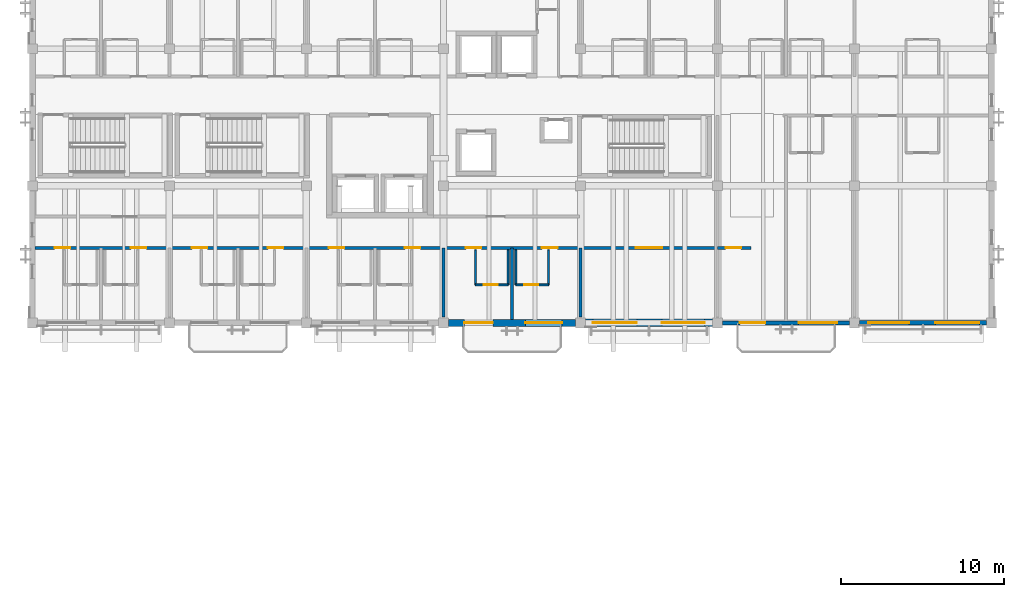
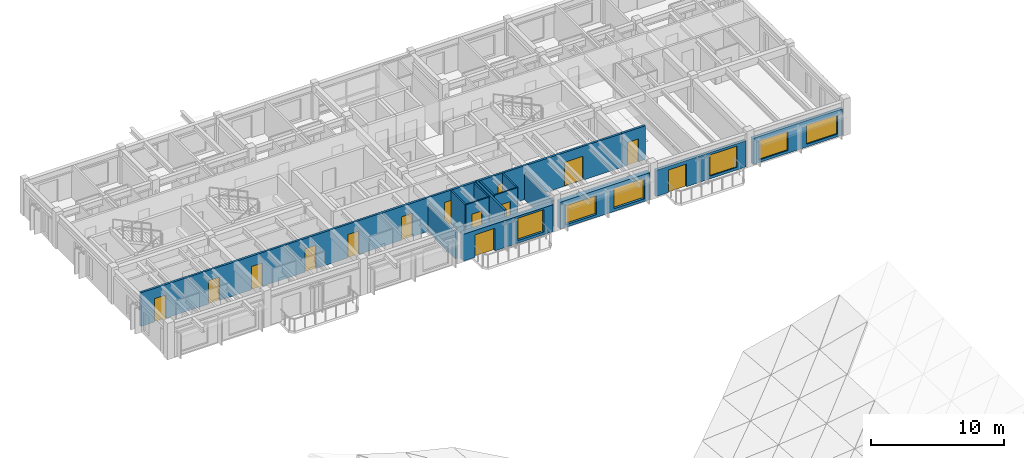
# One storey, part 13 of 31: 15 walls, 14 doors, 6 windows, 20 openings.
"""IFC4 building model written with IfcOpenShell, lengths in metres."""

from ifc_helpers import new_model, si_unit, direction, frame, frame_2d, origin, place, context, subcontext, project, spatial, rectangle, extrude, material, layer, layer_set, type_object, element, fill, save


model = new_model("IFC4")

# Units and contexts
model_context = context("Model", 3, precision=1e-05, world=origin(), true_north=direction((0.0, 1.0)))
body_context = subcontext(model_context, "Body", "Model", "MODEL_VIEW")
ifc_project = project(units=[si_unit("LENGTHUNIT", "METRE"), si_unit("AREAUNIT", "SQUARE_METRE"), si_unit("VOLUMEUNIT", "CUBIC_METRE"), si_unit("PLANEANGLEUNIT", "RADIAN"), si_unit("MASSUNIT", "GRAM", prefix="KILO")], contexts=[model_context])

# Site, building, storey
site_placement = place(None, origin())
site = spatial("IfcSite", under=ifc_project, at=site_placement, CompositionType="ELEMENT")
building_placement = place(site_placement, origin())
building = spatial("IfcBuilding", under=site, at=building_placement, Name="Cumbredor Promenade Congress Hotel", CompositionType="ELEMENT")
storey_placement = place(building_placement, frame((0.0, 0.0, 31.919921875)))
storey = spatial("IfcBuildingStorey", under=building, at=storey_placement, Name="L09", CompositionType="ELEMENT", Elevation=31.919921875)

# Wall, opening, door
ifc_material_1 = material(Name="Moisture-resistant gypsum board on steel studs", Category="steel")
ifc_layer_1 = layer(ifc_material_1, 0.114990234375, Name="Moisture-resistant gypsum board on steel studs", Category="steel")
ifc_layer_set_1 = layer_set([ifc_layer_1], Name="Moisture-resistant gypsum board on steel studs")
wall_type_1 = type_object("IfcWallType", Name="WL-BATH-115", PredefinedType="PARTITIONING", material=ifc_layer_set_1)
wall_1_placement = place(storey_placement, frame((35.56005859375, 94.72998046875, 0.0), z_axis=(0.0, 0.0, 1.0), x_axis=(1.0, 0.0, 0.0)))
wall_1 = element("IfcWall", 1, at=wall_1_placement, inside=storey, type_object=wall_type_1, Name="L09 Interior Partition W-L09-BH-0977", PredefinedType="PARTITIONING", context=body_context, shape_type="SweptSolid", body=[
    extrude(rectangle(XDim=2.0, YDim=0.114990234375, at=frame_2d((1.0, 0.0))), origin(), (0.0, 0.0, 1.0), 3.10009765625),
])
opening_1_placement = place(wall_1_placement, frame((0.5, 0.0, 0.0)))
opening_1 = element("IfcOpeningElement", 2, at=opening_1_placement, cuts=wall_1, Name="Opening ID-01", PredefinedType="OPENING", context=body_context, shape_type="SweptSolid", body=[
    extrude(rectangle(XDim=0.860107421875, YDim=2.050048828125, at=frame_2d((0.43017578125, 1.02490234375))), frame((0.0, 0.0673828125, 0.0), z_axis=(0.0, -1.0, 0.0), x_axis=(1.0, 0.0, 0.0)), (0.0, 0.0, 1.0), 0.135009765625),
])
ifc_material_2 = material(Name="Kiln-dried tropical hardwood", Category="wood")
door_type_1 = type_object("IfcDoorType", Name="DR-BATH-860", OperationType="NOTDEFINED", PredefinedType="DOOR", material=ifc_material_2)
door_1_placement = place(opening_1_placement, origin())
door_1 = element("IfcDoor", 3, at=door_1_placement, inside=storey, type_object=door_type_1, Name="L09 Interior Door W-L09-BH-0977-01", OperationType="SINGLE_SWING_RIGHT", OverallHeight=2.050048828125, OverallWidth=0.860107421875, PredefinedType="DOOR", context=body_context, shape_type="SweptSolid", body=[
    extrude(rectangle(XDim=0.860107421875, YDim=2.050048828125, at=frame_2d((0.43017578125, 1.02490234375))), frame((0.0, 0.02490234375, 0.0), z_axis=(0.0, -1.0, 0.0), x_axis=(1.0, 0.0, 0.0)), (0.0, 0.0, 1.0), 0.050048828125),
])
fill(opening_1, door_1)

# Walls
for number, where, z_axis, x_axis, name in (
    (4, (35.56005859375, 94.72998046875, 0.0), (0.0, 0.0, 1.0), (0.0, 1.0, 0.0), "L09 Interior Partition W-L09-BV1-0977"),
    (5, (37.56005859375, 94.72998046875, 0.0), (0.0, 0.0, 1.0), (0.0, 1.0, 0.0), "L09 Interior Partition W-L09-BV2-0977"),
):
    element("IfcWall", number, at=place(storey_placement, frame(where, z_axis=z_axis, x_axis=x_axis)), inside=storey, type_object=wall_type_1, Name=name, PredefinedType="PARTITIONING", context=body_context, shape_type="SweptSolid", body=[
        extrude(rectangle(XDim=2.14990234375, YDim=0.114990234375, at=frame_2d((1.074951171875, 0.0))), origin(), (0.0, 0.0, 1.0), 3.10009765625),
    ])

# Wall, opening, door
wall_2_placement = place(storey_placement, frame((38.0400390625, 94.72998046875, 0.0), z_axis=(0.0, 0.0, 1.0), x_axis=(1.0, 0.0, 0.0)))
wall_2 = element("IfcWall", 6, at=wall_2_placement, inside=storey, type_object=wall_type_1, Name="L09 Interior Partition W-L09-BH-0978", PredefinedType="PARTITIONING", context=body_context, shape_type="SweptSolid", body=[
    extrude(rectangle(XDim=2.0, YDim=0.114990234375, at=frame_2d((1.0, 0.0))), origin(), (0.0, 0.0, 1.0), 3.10009765625),
])
opening_2_placement = place(wall_2_placement, frame((0.5, 0.0, 0.0)))
opening_2 = element("IfcOpeningElement", 7, at=opening_2_placement, cuts=wall_2, Name="Opening ID-01", PredefinedType="OPENING", context=body_context, shape_type="SweptSolid", body=[
    extrude(rectangle(XDim=0.860107421875, YDim=2.050048828125, at=frame_2d((0.43017578125, 1.02490234375))), frame((0.0, 0.0673828125, 0.0), z_axis=(0.0, -1.0, 0.0), x_axis=(1.0, 0.0, 0.0)), (0.0, 0.0, 1.0), 0.135009765625),
])
door_2_placement = place(opening_2_placement, origin())
door_2 = element("IfcDoor", 8, at=door_2_placement, inside=storey, type_object=door_type_1, Name="L09 Interior Door W-L09-BH-0978-01", OperationType="SINGLE_SWING_LEFT", OverallHeight=2.050048828125, OverallWidth=0.860107421875, PredefinedType="DOOR", context=body_context, shape_type="SweptSolid", body=[
    extrude(rectangle(XDim=0.860107421875, YDim=2.050048828125, at=frame_2d((0.43017578125, 1.02490234375))), frame((0.0, 0.02490234375, 0.0), z_axis=(0.0, -1.0, 0.0), x_axis=(1.0, 0.0, 0.0)), (0.0, 0.0, 1.0), 0.050048828125),
])
fill(opening_2, door_2)

# Walls
for number, where, z_axis, x_axis, name in (
    (9, (38.0400390625, 94.72998046875, 0.0), (0.0, 0.0, 1.0), (0.0, 1.0, 0.0), "L09 Interior Partition W-L09-BV1-0978"),
    (10, (40.0400390625, 94.72998046875, 0.0), (0.0, 0.0, 1.0), (0.0, 1.0, 0.0), "L09 Interior Partition W-L09-BV2-0978"),
):
    element("IfcWall", number, at=place(storey_placement, frame(where, z_axis=z_axis, x_axis=x_axis)), inside=storey, type_object=wall_type_1, Name=name, PredefinedType="PARTITIONING", context=body_context, shape_type="SweptSolid", body=[
        extrude(rectangle(XDim=2.14990234375, YDim=0.114990234375, at=frame_2d((1.074951171875, 0.0))), origin(), (0.0, 0.0, 1.0), 3.10009765625),
    ])

# Wall, openings, doors
ifc_material_3 = material(Name="Fire-rated hotel corridor wall")
ifc_layer_2 = layer(ifc_material_3, 0.179931640625, Name="Fire-rated hotel corridor wall")
ifc_layer_set_2 = layer_set([ifc_layer_2], Name="Fire-rated hotel corridor wall")
wall_type_2 = type_object("IfcWallType", Name="WL-CORR-180", PredefinedType="PARTITIONING", material=ifc_layer_set_2)
wall_3_placement = place(storey_placement, frame((8.5625, 97.0, 0.0), z_axis=(0.0, 0.0, 1.0), x_axis=(1.0, 0.0, 0.0)))
wall_3 = element("IfcWall", 11, at=wall_3_placement, inside=storey, type_object=wall_type_2, Name="L09 Interior Partition W-L09-SC-CORRW", PredefinedType="PARTITIONING", context=body_context, shape_type="SweptSolid", body=[
    extrude(rectangle(XDim=41.83740234375, YDim=0.179931640625, at=frame_2d((20.918701171875, 0.0))), origin(), (0.0, 0.0, 1.0), 3.10009765625),
])
opening_3_placement = place(wall_3_placement, frame((1.20703125, 0.0, 0.0)))
opening_3 = element("IfcOpeningElement", 12, at=opening_3_placement, cuts=wall_3, Name="Opening FD-01", PredefinedType="OPENING", context=body_context, shape_type="SweptSolid", body=[
    extrude(rectangle(XDim=0.9599609375, YDim=2.14990234375, at=frame_2d((0.47998046875, 1.074951171875))), frame((0.0, 0.10009765625, 0.0), z_axis=(0.0, -1.0, 0.0), x_axis=(1.0, 0.0, 0.0)), (0.0, 0.0, 1.0), 0.199951171875),
])
opening_4_placement = place(wall_3_placement, frame((5.866943359375, 0.0, 0.0)))
opening_4 = element("IfcOpeningElement", 13, at=opening_4_placement, cuts=wall_3, Name="Opening FD-01", PredefinedType="OPENING", context=body_context, shape_type="SweptSolid", body=[
    extrude(rectangle(XDim=0.9599609375, YDim=2.14990234375, at=frame_2d((0.47998046875, 1.074951171875))), frame((0.0, 0.10009765625, 0.0), z_axis=(0.0, -1.0, 0.0), x_axis=(1.0, 0.0, 0.0)), (0.0, 0.0, 1.0), 0.199951171875),
])
opening_5_placement = place(wall_3_placement, frame((9.60791015625, 0.0, 0.0)))
opening_5 = element("IfcOpeningElement", 14, at=opening_5_placement, cuts=wall_3, Name="Opening FD-01", PredefinedType="OPENING", context=body_context, shape_type="SweptSolid", body=[
    extrude(rectangle(XDim=0.9599609375, YDim=2.14990234375, at=frame_2d((0.47998046875, 1.074951171875))), frame((0.0, 0.10009765625, 0.0), z_axis=(0.0, -1.0, 0.0), x_axis=(1.0, 0.0, 0.0)), (0.0, 0.0, 1.0), 0.199951171875),
])
opening_6_placement = place(wall_3_placement, frame((14.26708984375, 0.0, 0.0)))
opening_6 = element("IfcOpeningElement", 15, at=opening_6_placement, cuts=wall_3, Name="Opening FD-01", PredefinedType="OPENING", context=body_context, shape_type="SweptSolid", body=[
    extrude(rectangle(XDim=0.9599609375, YDim=2.14990234375, at=frame_2d((0.47998046875, 1.074951171875))), frame((0.0, 0.10009765625, 0.0), z_axis=(0.0, -1.0, 0.0), x_axis=(1.0, 0.0, 0.0)), (0.0, 0.0, 1.0), 0.199951171875),
])
opening_7_placement = place(wall_3_placement, frame((18.008056640625, 0.0, 0.0)))
opening_7 = element("IfcOpeningElement", 16, at=opening_7_placement, cuts=wall_3, Name="Opening FD-01", PredefinedType="OPENING", context=body_context, shape_type="SweptSolid", body=[
    extrude(rectangle(XDim=0.9599609375, YDim=2.14990234375, at=frame_2d((0.47998046875, 1.074951171875))), frame((0.0, 0.10009765625, 0.0), z_axis=(0.0, -1.0, 0.0), x_axis=(1.0, 0.0, 0.0)), (0.0, 0.0, 1.0), 0.199951171875),
])
opening_8_placement = place(wall_3_placement, frame((22.66796875, 0.0, 0.0)))
opening_8 = element("IfcOpeningElement", 17, at=opening_8_placement, cuts=wall_3, Name="Opening FD-01", PredefinedType="OPENING", context=body_context, shape_type="SweptSolid", body=[
    extrude(rectangle(XDim=0.9599609375, YDim=2.14990234375, at=frame_2d((0.47998046875, 1.074951171875))), frame((0.0, 0.10009765625, 0.0), z_axis=(0.0, -1.0, 0.0), x_axis=(1.0, 0.0, 0.0)), (0.0, 0.0, 1.0), 0.199951171875),
])
opening_9_placement = place(wall_3_placement, frame((26.406982421875, 0.0, 0.0)))
opening_9 = element("IfcOpeningElement", 18, at=opening_9_placement, cuts=wall_3, Name="Opening FD-01", PredefinedType="OPENING", context=body_context, shape_type="SweptSolid", body=[
    extrude(rectangle(XDim=0.9599609375, YDim=2.14990234375, at=frame_2d((0.47998046875, 1.074951171875))), frame((0.0, 0.10009765625, 0.0), z_axis=(0.0, -1.0, 0.0), x_axis=(1.0, 0.0, 0.0)), (0.0, 0.0, 1.0), 0.199951171875),
])
opening_10_placement = place(wall_3_placement, frame((31.068115234375, 0.0, 0.0)))
opening_10 = element("IfcOpeningElement", 19, at=opening_10_placement, cuts=wall_3, Name="Opening FD-01", PredefinedType="OPENING", context=body_context, shape_type="SweptSolid", body=[
    extrude(rectangle(XDim=0.9599609375, YDim=2.14990234375, at=frame_2d((0.47998046875, 1.074951171875))), frame((0.0, 0.10009765625, 0.0), z_axis=(0.0, -1.0, 0.0), x_axis=(1.0, 0.0, 0.0)), (0.0, 0.0, 1.0), 0.199951171875),
])
opening_11_placement = place(wall_3_placement, frame((36.8369140625, 0.0, 0.0)))
opening_11 = element("IfcOpeningElement", 20, at=opening_11_placement, cuts=wall_3, Name="Opening FD-08", PredefinedType="OPENING", context=body_context, shape_type="SweptSolid", body=[
    extrude(rectangle(XDim=1.6201171875, YDim=2.199951171875, at=frame_2d((0.81005859375, 1.10009765625))), frame((0.0, 0.10009765625, 0.0), z_axis=(0.0, -1.0, 0.0), x_axis=(1.0, 0.0, 0.0)), (0.0, 0.0, 1.0), 0.199951171875),
])
ifc_material_4 = material(Name="Solid-core fire-rated tropical hardwood", Category="wood")
door_type_2 = type_object("IfcDoorType", Name="DR-DBL-FD60-1600", OperationType="DOUBLE_DOOR_SINGLE_SWING", PredefinedType="DOOR", material=ifc_material_4)
door_3_placement = place(opening_11_placement, origin())
door_3 = element("IfcDoor", 21, at=door_3_placement, inside=storey, type_object=door_type_2, Name="L09 Interior Door W-L09-SC-CORRW-09", OperationType="DOUBLE_DOOR_SINGLE_SWING", OverallHeight=2.199951171875, OverallWidth=1.6201171875, PredefinedType="DOOR", context=body_context, shape_type="SweptSolid", body=[
    extrude(rectangle(XDim=1.6201171875, YDim=2.199951171875, at=frame_2d((0.81005859375, 1.10009765625))), frame((0.0, 0.02490234375, 0.0), z_axis=(0.0, -1.0, 0.0), x_axis=(1.0, 0.0, 0.0)), (0.0, 0.0, 1.0), 0.050048828125),
])
fill(opening_11, door_3)
door_type_3 = type_object("IfcDoorType", Name="DR-GUEST-FD30-950", OperationType="NOTDEFINED", PredefinedType="DOOR", material=ifc_material_4)
door_4_placement = place(opening_3_placement, origin())
door_4 = element("IfcDoor", 22, at=door_4_placement, inside=storey, type_object=door_type_3, Name="L09 Interior Door W-L09-SC-CORRW-01", OperationType="SINGLE_SWING_LEFT", OverallHeight=2.14990234375, OverallWidth=0.9599609375, PredefinedType="DOOR", context=body_context, shape_type="SweptSolid", body=[
    extrude(rectangle(XDim=0.9599609375, YDim=2.14990234375, at=frame_2d((0.47998046875, 1.074951171875))), frame((0.0, 0.02490234375, 0.0), z_axis=(0.0, -1.0, 0.0), x_axis=(1.0, 0.0, 0.0)), (0.0, 0.0, 1.0), 0.050048828125),
])
fill(opening_3, door_4)
door_5_placement = place(opening_4_placement, origin())
door_5 = element("IfcDoor", 23, at=door_5_placement, inside=storey, type_object=door_type_3, Name="L09 Interior Door W-L09-SC-CORRW-02", OperationType="SINGLE_SWING_RIGHT", OverallHeight=2.14990234375, OverallWidth=0.9599609375, PredefinedType="DOOR", context=body_context, shape_type="SweptSolid", body=[
    extrude(rectangle(XDim=0.9599609375, YDim=2.14990234375, at=frame_2d((0.47998046875, 1.074951171875))), frame((0.0, 0.02490234375, 0.0), z_axis=(0.0, -1.0, 0.0), x_axis=(1.0, 0.0, 0.0)), (0.0, 0.0, 1.0), 0.050048828125),
])
fill(opening_4, door_5)
door_6_placement = place(opening_5_placement, origin())
door_6 = element("IfcDoor", 24, at=door_6_placement, inside=storey, type_object=door_type_3, Name="L09 Interior Door W-L09-SC-CORRW-03", OperationType="SINGLE_SWING_LEFT", OverallHeight=2.14990234375, OverallWidth=0.9599609375, PredefinedType="DOOR", context=body_context, shape_type="SweptSolid", body=[
    extrude(rectangle(XDim=0.9599609375, YDim=2.14990234375, at=frame_2d((0.47998046875, 1.074951171875))), frame((0.0, 0.02490234375, 0.0), z_axis=(0.0, -1.0, 0.0), x_axis=(1.0, 0.0, 0.0)), (0.0, 0.0, 1.0), 0.050048828125),
])
fill(opening_5, door_6)
door_7_placement = place(opening_6_placement, origin())
door_7 = element("IfcDoor", 25, at=door_7_placement, inside=storey, type_object=door_type_3, Name="L09 Interior Door W-L09-SC-CORRW-04", OperationType="SINGLE_SWING_RIGHT", OverallHeight=2.14990234375, OverallWidth=0.9599609375, PredefinedType="DOOR", context=body_context, shape_type="SweptSolid", body=[
    extrude(rectangle(XDim=0.9599609375, YDim=2.14990234375, at=frame_2d((0.47998046875, 1.074951171875))), frame((0.0, 0.02490234375, 0.0), z_axis=(0.0, -1.0, 0.0), x_axis=(1.0, 0.0, 0.0)), (0.0, 0.0, 1.0), 0.050048828125),
])
fill(opening_6, door_7)
door_8_placement = place(opening_7_placement, origin())
door_8 = element("IfcDoor", 26, at=door_8_placement, inside=storey, type_object=door_type_3, Name="L09 Interior Door W-L09-SC-CORRW-05", OperationType="SINGLE_SWING_LEFT", OverallHeight=2.14990234375, OverallWidth=0.9599609375, PredefinedType="DOOR", context=body_context, shape_type="SweptSolid", body=[
    extrude(rectangle(XDim=0.9599609375, YDim=2.14990234375, at=frame_2d((0.47998046875, 1.074951171875))), frame((0.0, 0.02490234375, 0.0), z_axis=(0.0, -1.0, 0.0), x_axis=(1.0, 0.0, 0.0)), (0.0, 0.0, 1.0), 0.050048828125),
])
fill(opening_7, door_8)
door_9_placement = place(opening_8_placement, origin())
door_9 = element("IfcDoor", 27, at=door_9_placement, inside=storey, type_object=door_type_3, Name="L09 Interior Door W-L09-SC-CORRW-06", OperationType="SINGLE_SWING_RIGHT", OverallHeight=2.14990234375, OverallWidth=0.9599609375, PredefinedType="DOOR", context=body_context, shape_type="SweptSolid", body=[
    extrude(rectangle(XDim=0.9599609375, YDim=2.14990234375, at=frame_2d((0.47998046875, 1.074951171875))), frame((0.0, 0.02490234375, 0.0), z_axis=(0.0, -1.0, 0.0), x_axis=(1.0, 0.0, 0.0)), (0.0, 0.0, 1.0), 0.050048828125),
])
fill(opening_8, door_9)
door_10_placement = place(opening_9_placement, origin())
door_10 = element("IfcDoor", 28, at=door_10_placement, inside=storey, type_object=door_type_3, Name="L09 Interior Door W-L09-SC-CORRW-07", OperationType="SINGLE_SWING_LEFT", OverallHeight=2.14990234375, OverallWidth=0.9599609375, PredefinedType="DOOR", context=body_context, shape_type="SweptSolid", body=[
    extrude(rectangle(XDim=0.9599609375, YDim=2.14990234375, at=frame_2d((0.47998046875, 1.074951171875))), frame((0.0, 0.02490234375, 0.0), z_axis=(0.0, -1.0, 0.0), x_axis=(1.0, 0.0, 0.0)), (0.0, 0.0, 1.0), 0.050048828125),
])
fill(opening_9, door_10)
door_11_placement = place(opening_10_placement, origin())
door_11 = element("IfcDoor", 29, at=door_11_placement, inside=storey, type_object=door_type_3, Name="L09 Interior Door W-L09-SC-CORRW-08", OperationType="SINGLE_SWING_RIGHT", OverallHeight=2.14990234375, OverallWidth=0.9599609375, PredefinedType="DOOR", context=body_context, shape_type="SweptSolid", body=[
    extrude(rectangle(XDim=0.9599609375, YDim=2.14990234375, at=frame_2d((0.47998046875, 1.074951171875))), frame((0.0, 0.02490234375, 0.0), z_axis=(0.0, -1.0, 0.0), x_axis=(1.0, 0.0, 0.0)), (0.0, 0.0, 1.0), 0.050048828125),
])
fill(opening_10, door_11)

# Wall, opening, door
wall_4_placement = place(storey_placement, frame((50.39990234375, 97.0, 0.0), z_axis=(0.0, 0.0, 1.0), x_axis=(1.0, 0.0, 0.0)))
wall_4 = element("IfcWall", 30, at=wall_4_placement, inside=storey, type_object=wall_type_2, Name="L09 Interior Partition W-L09-TEA2-N", PredefinedType="PARTITIONING", context=body_context, shape_type="SweptSolid", body=[
    extrude(rectangle(XDim=2.050048828125, YDim=0.179931640625, at=frame_2d((1.02490234375, 0.0))), origin(), (0.0, 0.0, 1.0), 3.10009765625),
])
opening_12_placement = place(wall_4_placement, frame((0.5, 0.0, 0.0)))
opening_12 = element("IfcOpeningElement", 31, at=opening_12_placement, cuts=wall_4, Name="Opening FD-03", PredefinedType="OPENING", context=body_context, shape_type="SweptSolid", body=[
    extrude(rectangle(XDim=0.93994140625, YDim=2.10009765625, at=frame_2d((0.469970703125, 1.050048828125))), frame((0.0, 0.10009765625, 0.0), z_axis=(0.0, -1.0, 0.0), x_axis=(1.0, 0.0, 0.0)), (0.0, 0.0, 1.0), 0.199951171875),
])
ifc_material_5 = material(Name="Painted galvanized steel fire door", Category="steel")
door_type_4 = type_object("IfcDoorType", Name="DR-SGL-FD60-950", OperationType="NOTDEFINED", PredefinedType="DOOR", material=ifc_material_5)
door_12_placement = place(opening_12_placement, origin())
door_12 = element("IfcDoor", 32, at=door_12_placement, inside=storey, type_object=door_type_4, Name="L09 Interior Door W-L09-TEA2-N-01", OperationType="SINGLE_SWING_LEFT", OverallHeight=2.10009765625, OverallWidth=0.93994140625, PredefinedType="DOOR", context=body_context, shape_type="SweptSolid", body=[
    extrude(rectangle(XDim=0.93994140625, YDim=2.10009765625, at=frame_2d((0.469970703125, 1.050048828125))), frame((0.0, 0.02490234375, 0.0), z_axis=(0.0, -1.0, 0.0), x_axis=(1.0, 0.0, 0.0)), (0.0, 0.0, 1.0), 0.050048828125),
])
fill(opening_12, door_12)

# Wall, openings, door, window
ifc_material_6 = material(Name="Concrete C40/50", Category="concrete")
ifc_layer_3 = layer(ifc_material_6, 0.260009765625, Name="Concrete C40/50", Category="concrete")
ifc_layer_set_3 = layer_set([ifc_layer_3], Name="Concrete C40/50")
wall_type_3 = type_object("IfcWallType", Name="WL-EXT-260", PredefinedType="SOLIDWALL", material=ifc_layer_set_3)
wall_5_placement = place(storey_placement, frame((50.700927734375, 92.39990234375, 0.0), z_axis=(0.0, 0.0, 1.0), x_axis=(1.0, 0.0, 0.0)))
wall_5 = element("IfcWall", 33, at=wall_5_placement, inside=storey, type_object=wall_type_3, Name="L09 Stepped Congress Hotel Wing South Envelope Wall 6", PredefinedType="SOLIDWALL", context=body_context, shape_type="SweptSolid", body=[
    extrude(rectangle(XDim=7.798095703125, YDim=0.260009765625, at=frame_2d((3.89892578125, 0.0))), origin(), (0.0, 0.0, 1.0), 2.4140625),
])
opening_13_placement = place(wall_5_placement, frame((1.073974609375, 0.0, 0.0)))
opening_13 = element("IfcOpeningElement", 34, at=opening_13_placement, cuts=wall_5, Name="Opening TD-01", PredefinedType="OPENING", context=body_context, shape_type="SweptSolid", body=[
    extrude(rectangle(XDim=1.550048828125, YDim=2.080078125, at=frame_2d((0.77490234375, 1.0400390625))), frame((0.0, 0.14013671875, 0.0), z_axis=(0.0, -1.0, 0.0), x_axis=(1.0, 0.0, 0.0)), (0.0, 0.0, 1.0), 0.280029296875),
])
opening_14_placement = place(wall_5_placement, frame((4.674072265625, 0.0, 0.25)))
opening_14 = element("IfcOpeningElement", 35, at=opening_14_placement, cuts=wall_5, Name="Opening WN-08", PredefinedType="OPENING", context=body_context, shape_type="SweptSolid", body=[
    extrude(rectangle(XDim=2.35009765625, YDim=1.949951171875, at=frame_2d((1.175048828125, 0.97509765625))), frame((0.0, 0.14013671875, 0.0), z_axis=(0.0, -1.0, 0.0), x_axis=(1.0, 0.0, 0.0)), (0.0, 0.0, 1.0), 0.280029296875),
])
ifc_material_7 = material(Name="Thermally broken anodized aluminium and laminated safety glass", Category="aluminium")
door_type_5 = type_object("IfcDoorType", Name="EXT-DR-TER-1550x2080", OperationType="DOUBLE_DOOR_SINGLE_SWING", PredefinedType="DOOR", material=ifc_material_7)
door_13_placement = place(opening_13_placement, frame((1.550048828125, 0.0, 0.0), z_axis=(0.0, 0.0, 1.0), x_axis=(-1.0, 0.0, 0.0)))
door_13 = element("IfcDoor", 36, at=door_13_placement, inside=storey, type_object=door_type_5, Name="L09 Guestroom Veranda Balcony Door 090", OperationType="DOUBLE_DOOR_SINGLE_SWING", OverallHeight=2.080078125, OverallWidth=1.550048828125, PredefinedType="DOOR", context=body_context, shape_type="SweptSolid", body=[
    extrude(rectangle(XDim=1.550048828125, YDim=2.080078125, at=frame_2d((0.77490234375, 1.0400390625))), frame((0.0, 0.02490234375, 0.0), z_axis=(0.0, -1.0, 0.0), x_axis=(1.0, 0.0, 0.0)), (0.0, 0.0, 1.0), 0.050048828125),
])
fill(opening_13, door_13)
ifc_material_8 = material(Name="Thermally broken anodized aluminium and low-E glass", Category="aluminium")
window_type_1 = type_object("IfcWindowType", Name="Hospitality Floor-to-Ceiling Window WN-08 2350x1950", PartitioningType="DOUBLE_PANEL_VERTICAL", PredefinedType="WINDOW", material=ifc_material_8)
window_1_placement = place(opening_14_placement, origin())
window_1 = element("IfcWindow", 37, at=window_1_placement, inside=storey, type_object=window_type_1, Name="L09 Veranda Companion Floor-to-Ceiling Window 0687", OverallHeight=1.949951171875, OverallWidth=2.35009765625, PartitioningType="DOUBLE_PANEL_VERTICAL", PredefinedType="WINDOW", context=body_context, shape_type="SweptSolid", body=[
    extrude(rectangle(XDim=2.35009765625, YDim=1.949951171875, at=frame_2d((1.175048828125, 0.97509765625))), frame((0.0, 0.030029296875, 0.0), z_axis=(0.0, -1.0, 0.0), x_axis=(1.0, 0.0, 0.0)), (0.0, 0.0, 1.0), 0.06005859375),
])
fill(opening_14, window_1)

# Wall, openings, windows
ifc_layer_4 = layer(ifc_material_6, 0.280029296875, Name="Concrete C40/50", Category="concrete")
ifc_layer_set_4 = layer_set([ifc_layer_4], Name="Concrete C40/50")
wall_type_4 = type_object("IfcWallType", Name="WL-EXT-280", PredefinedType="SOLIDWALL", material=ifc_layer_set_4)
wall_6_placement = place(storey_placement, frame((59.10107421875, 92.39990234375, 0.0), z_axis=(0.0, 0.0, 1.0), x_axis=(1.0, 0.0, 0.0)))
wall_6 = element("IfcWall", 38, at=wall_6_placement, inside=storey, type_object=wall_type_4, Name="L09 Stepped Congress Hotel Wing South Envelope Wall 7", PredefinedType="SOLIDWALL", context=body_context, shape_type="SweptSolid", body=[
    extrude(rectangle(XDim=7.7978515625, YDim=0.280029296875, at=frame_2d((3.89892578125, 0.0))), origin(), (0.0, 0.0, 1.0), 2.4140625),
])
opening_15_placement = place(wall_6_placement, frame((0.549072265625, 0.0, 0.25)))
opening_15 = element("IfcOpeningElement", 39, at=opening_15_placement, cuts=wall_6, Name="Opening WN-27", PredefinedType="OPENING", context=body_context, shape_type="SweptSolid", body=[
    extrude(rectangle(XDim=2.5, YDim=1.75, at=frame_2d((1.25, 0.875))), frame((0.0, 0.14990234375, 0.0), z_axis=(0.0, -1.0, 0.0), x_axis=(1.0, 0.0, 0.0)), (0.0, 0.0, 1.0), 0.300048828125),
])
opening_16_placement = place(wall_6_placement, frame((4.64892578125, 0.0, 0.25)))
opening_16 = element("IfcOpeningElement", 40, at=opening_16_placement, cuts=wall_6, Name="Opening WN-29", PredefinedType="OPENING", context=body_context, shape_type="SweptSolid", body=[
    extrude(rectangle(XDim=2.699951171875, YDim=1.75, at=frame_2d((1.35009765625, 0.875))), frame((0.0, 0.14990234375, 0.0), z_axis=(0.0, -1.0, 0.0), x_axis=(1.0, 0.0, 0.0)), (0.0, 0.0, 1.0), 0.300048828125),
])
window_type_2 = type_object("IfcWindowType", Name="Hospitality Floor-to-Ceiling Window WN-27 2500x1750", PartitioningType="DOUBLE_PANEL_VERTICAL", PredefinedType="WINDOW", material=ifc_material_8)
window_2_placement = place(opening_15_placement, origin())
window_2 = element("IfcWindow", 41, at=window_2_placement, inside=storey, type_object=window_type_2, Name="L09 Wide Hospitality Window 0688", OverallHeight=1.75, OverallWidth=2.5, PartitioningType="DOUBLE_PANEL_VERTICAL", PredefinedType="WINDOW", context=body_context, shape_type="SweptSolid", body=[
    extrude(rectangle(XDim=2.5, YDim=1.75, at=frame_2d((1.25, 0.875))), frame((0.0, 0.030029296875, 0.0), z_axis=(0.0, -1.0, 0.0), x_axis=(1.0, 0.0, 0.0)), (0.0, 0.0, 1.0), 0.06005859375),
])
fill(opening_15, window_2)
window_type_3 = type_object("IfcWindowType", Name="Hospitality Floor-to-Ceiling Window WN-29 2700x1750", PartitioningType="DOUBLE_PANEL_VERTICAL", PredefinedType="WINDOW", material=ifc_material_8)
window_3_placement = place(opening_16_placement, origin())
window_3 = element("IfcWindow", 42, at=window_3_placement, inside=storey, type_object=window_type_3, Name="L09 Wide Hospitality Window 0689", OverallHeight=1.75, OverallWidth=2.699951171875, PartitioningType="DOUBLE_PANEL_VERTICAL", PredefinedType="WINDOW", context=body_context, shape_type="SweptSolid", body=[
    extrude(rectangle(XDim=2.699951171875, YDim=1.75, at=frame_2d((1.35009765625, 0.875))), frame((0.0, 0.030029296875, 0.0), z_axis=(0.0, -1.0, 0.0), x_axis=(1.0, 0.0, 0.0)), (0.0, 0.0, 1.0), 0.06005859375),
])
fill(opening_16, window_3)

# Wall, openings, door, window
ifc_layer_5 = layer(ifc_material_6, 0.425048828125, Name="Concrete C40/50", Category="concrete")
ifc_layer_set_5 = layer_set([ifc_layer_5], Name="Concrete C40/50")
wall_type_5 = type_object("IfcWallType", Name="WL-EXT-425", PredefinedType="SOLIDWALL", material=ifc_layer_set_5)
wall_7_placement = place(storey_placement, frame((33.90087890625, 92.39990234375, 0.0), z_axis=(0.0, 0.0, 1.0), x_axis=(1.0, 0.0, 0.0)))
wall_7 = element("IfcWall", 43, at=wall_7_placement, inside=storey, type_object=wall_type_5, Name="L09 Stepped Congress Hotel Wing South Envelope Wall 4", PredefinedType="SOLIDWALL", context=body_context, shape_type="SweptSolid", body=[
    extrude(rectangle(XDim=7.798095703125, YDim=0.425048828125, at=frame_2d((3.89892578125, 0.0))), origin(), (0.0, 0.0, 1.0), 2.47412109375),
])
opening_17_placement = place(wall_7_placement, frame((0.97412109375, 0.0, 0.0)))
opening_17 = element("IfcOpeningElement", 44, at=opening_17_placement, cuts=wall_7, Name="Opening TD-03", PredefinedType="OPENING", context=body_context, shape_type="SweptSolid", body=[
    extrude(rectangle(XDim=1.75, YDim=2.080078125, at=frame_2d((0.875, 1.0400390625))), frame((0.0, 0.22265625, 0.0), z_axis=(0.0, -1.0, 0.0), x_axis=(1.0, 0.0, 0.0)), (0.0, 0.0, 1.0), 0.445068359375),
])
opening_18_placement = place(wall_7_placement, frame((4.72412109375, 0.0, 0.25)))
opening_18 = element("IfcOpeningElement", 45, at=opening_18_placement, cuts=wall_7, Name="Opening WN-13", PredefinedType="OPENING", context=body_context, shape_type="SweptSolid", body=[
    extrude(rectangle(XDim=2.25, YDim=2.050048828125, at=frame_2d((1.125, 1.02490234375))), frame((0.0, 0.22265625, 0.0), z_axis=(0.0, -1.0, 0.0), x_axis=(1.0, 0.0, 0.0)), (0.0, 0.0, 1.0), 0.445068359375),
])
door_type_6 = type_object("IfcDoorType", Name="EXT-DR-TER-1750x2080", OperationType="DOUBLE_DOOR_SINGLE_SWING", PredefinedType="DOOR", material=ifc_material_7)
door_14_placement = place(opening_17_placement, frame((1.75, 0.0, 0.0), z_axis=(0.0, 0.0, 1.0), x_axis=(-1.0, 0.0, 0.0)))
door_14 = element("IfcDoor", 46, at=door_14_placement, inside=storey, type_object=door_type_6, Name="L09 Guestroom Veranda Balcony Door 089", OperationType="DOUBLE_DOOR_SINGLE_SWING", OverallHeight=2.080078125, OverallWidth=1.75, PredefinedType="DOOR", context=body_context, shape_type="SweptSolid", body=[
    extrude(rectangle(XDim=1.75, YDim=2.080078125, at=frame_2d((0.875, 1.0400390625))), frame((0.0, 0.02490234375, 0.0), z_axis=(0.0, -1.0, 0.0), x_axis=(1.0, 0.0, 0.0)), (0.0, 0.0, 1.0), 0.050048828125),
])
fill(opening_17, door_14)
window_type_4 = type_object("IfcWindowType", Name="Hospitality Floor-to-Ceiling Window WN-13 2250x2050", PartitioningType="DOUBLE_PANEL_VERTICAL", PredefinedType="WINDOW", material=ifc_material_8)
window_4_placement = place(opening_18_placement, origin())
window_4 = element("IfcWindow", 47, at=window_4_placement, inside=storey, type_object=window_type_4, Name="L09 Veranda Companion Floor-to-Ceiling Window 0684", OverallHeight=2.050048828125, OverallWidth=2.25, PartitioningType="DOUBLE_PANEL_VERTICAL", PredefinedType="WINDOW", context=body_context, shape_type="SweptSolid", body=[
    extrude(rectangle(XDim=2.25, YDim=2.050048828125, at=frame_2d((1.125, 1.02490234375))), frame((0.0, 0.030029296875, 0.0), z_axis=(0.0, -1.0, 0.0), x_axis=(1.0, 0.0, 0.0)), (0.0, 0.0, 1.0), 0.06005859375),
])
fill(opening_18, window_4)

# Wall, openings, windows
ifc_layer_6 = layer(ifc_material_6, 0.449951171875, Name="Concrete C40/50", Category="concrete")
ifc_layer_set_6 = layer_set([ifc_layer_6], Name="Concrete C40/50")
wall_type_6 = type_object("IfcWallType", Name="WL-EXT-450", PredefinedType="SOLIDWALL", material=ifc_layer_set_6)
wall_8_placement = place(storey_placement, frame((42.301025390625, 92.39990234375, 0.0), z_axis=(0.0, 0.0, 1.0), x_axis=(1.0, 0.0, 0.0)))
wall_8 = element("IfcWall", 48, at=wall_8_placement, inside=storey, type_object=wall_type_6, Name="L09 Stepped Congress Hotel Wing South Envelope Wall 5", PredefinedType="SOLIDWALL", context=body_context, shape_type="SweptSolid", body=[
    extrude(rectangle(XDim=7.798095703125, YDim=0.449951171875, at=frame_2d((3.89892578125, 0.0))), origin(), (0.0, 0.0, 1.0), 2.47412109375),
])
opening_19_placement = place(wall_8_placement, frame((0.448974609375, 0.0, 0.25)))
opening_19 = element("IfcOpeningElement", 49, at=opening_19_placement, cuts=wall_8, Name="Opening WN-29", PredefinedType="OPENING", context=body_context, shape_type="SweptSolid", body=[
    extrude(rectangle(XDim=2.699951171875, YDim=1.75, at=frame_2d((1.35009765625, 0.875))), frame((0.0, 0.23486328125, 0.0), z_axis=(0.0, -1.0, 0.0), x_axis=(1.0, 0.0, 0.0)), (0.0, 0.0, 1.0), 0.469970703125),
])
opening_20_placement = place(wall_8_placement, frame((4.68896484375, 0.0, 0.25)))
opening_20 = element("IfcOpeningElement", 50, at=opening_20_placement, cuts=wall_8, Name="Opening WN-39", PredefinedType="OPENING", context=body_context, shape_type="SweptSolid", body=[
    extrude(rectangle(XDim=2.6201171875, YDim=1.89990234375, at=frame_2d((1.31005859375, 0.949951171875))), frame((0.0, 0.23486328125, 0.0), z_axis=(0.0, -1.0, 0.0), x_axis=(1.0, 0.0, 0.0)), (0.0, 0.0, 1.0), 0.469970703125),
])
window_5_placement = place(opening_19_placement, origin())
window_5 = element("IfcWindow", 51, at=window_5_placement, inside=storey, type_object=window_type_3, Name="L09 Wide Hospitality Window 0685", OverallHeight=1.75, OverallWidth=2.699951171875, PartitioningType="DOUBLE_PANEL_VERTICAL", PredefinedType="WINDOW", context=body_context, shape_type="SweptSolid", body=[
    extrude(rectangle(XDim=2.699951171875, YDim=1.75, at=frame_2d((1.35009765625, 0.875))), frame((0.0, 0.030029296875, 0.0), z_axis=(0.0, -1.0, 0.0), x_axis=(1.0, 0.0, 0.0)), (0.0, 0.0, 1.0), 0.06005859375),
])
fill(opening_19, window_5)
window_type_5 = type_object("IfcWindowType", Name="Hospitality Floor-to-Ceiling Window WN-39 2620x1900", PartitioningType="DOUBLE_PANEL_VERTICAL", PredefinedType="WINDOW", material=ifc_material_8)
window_6_placement = place(opening_20_placement, origin())
window_6 = element("IfcWindow", 52, at=window_6_placement, inside=storey, type_object=window_type_5, Name="L09 Wide Hospitality Window 0686", OverallHeight=1.89990234375, OverallWidth=2.6201171875, PartitioningType="DOUBLE_PANEL_VERTICAL", PredefinedType="WINDOW", context=body_context, shape_type="SweptSolid", body=[
    extrude(rectangle(XDim=2.6201171875, YDim=1.89990234375, at=frame_2d((1.31005859375, 0.949951171875))), frame((0.0, 0.030029296875, 0.0), z_axis=(0.0, -1.0, 0.0), x_axis=(1.0, 0.0, 0.0)), (0.0, 0.0, 1.0), 0.06005859375),
])
fill(opening_20, window_6)

# Walls
ifc_material_9 = material(Name="Fire-rated acoustic double-stud partition")
ifc_layer_7 = layer(ifc_material_9, 0.1650390625, Name="Fire-rated acoustic double-stud partition")
ifc_layer_set_7 = layer_set([ifc_layer_7], Name="Fire-rated acoustic double-stud partition")
wall_type_7 = type_object("IfcWallType", Name="WL-UNIT-165", PredefinedType="PARTITIONING", material=ifc_layer_set_7)
wall_9_placement = place(storey_placement, frame((37.800048828125, 92.612548828125, 0.0), z_axis=(0.0, 0.0, 1.0), x_axis=(0.0, 1.0, 0.0)))
element("IfcWall", 53, at=wall_9_placement, inside=storey, type_object=wall_type_7, Name="L09 Interior Partition W-L09-SC-DIV-3-M", PredefinedType="PARTITIONING", context=body_context, shape_type="SweptSolid", body=[
    extrude(rectangle(XDim=4.387451171875, YDim=0.1650390625, at=frame_2d((2.19384765625, 0.0))), origin(), (0.0, 0.0, 1.0), 3.10009765625),
])
for number, where, z_axis, x_axis, name in (
    (54, (33.60009765625, 92.75, 0.0), (0.0, 0.0, 1.0), (0.0, 1.0, 0.0), "L09 Interior Partition W-L09-SC-DIV-3-G"),
    (55, (42.0, 92.75, 0.0), (0.0, 0.0, 1.0), (0.0, 1.0, 0.0), "L09 Interior Partition W-L09-SC-DIV-4-G"),
):
    element("IfcWall", number, at=place(storey_placement, frame(where, z_axis=z_axis, x_axis=x_axis)), inside=storey, type_object=wall_type_7, Name=name, PredefinedType="PARTITIONING", context=body_context, shape_type="SweptSolid", body=[
        extrude(rectangle(XDim=4.25, YDim=0.1650390625, at=frame_2d((2.125, 0.0))), origin(), (0.0, 0.0, 1.0), 2.43505859375),
    ])

save(model, "model.ifc")
